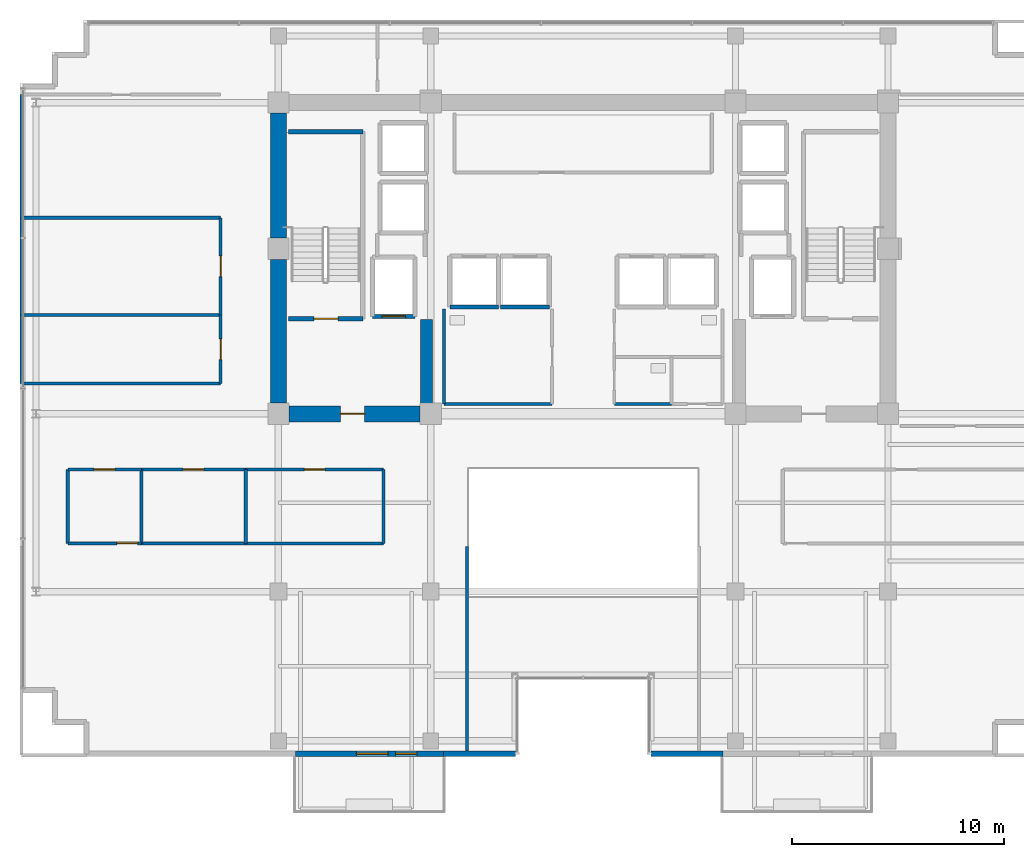
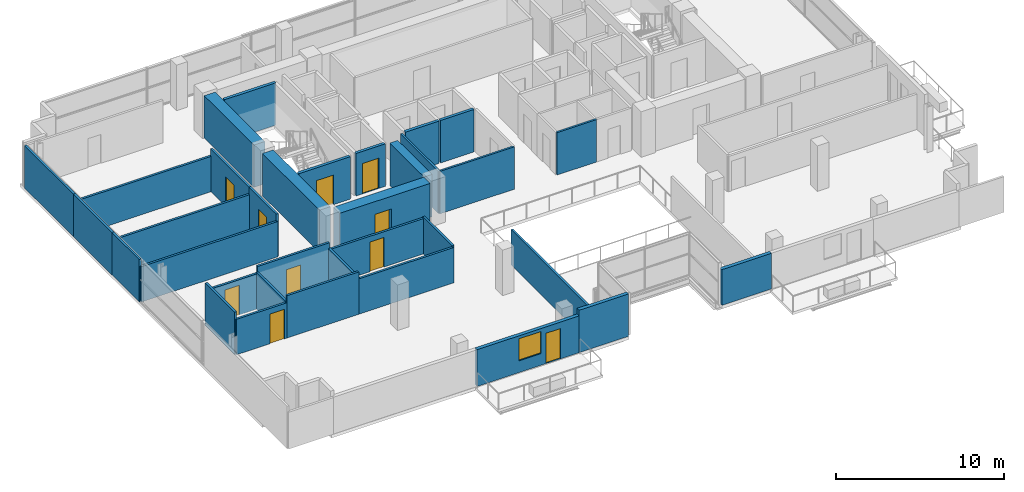
# One storey, part 18 of 25: 34 walls, 10 doors, 1 window, 11 openings.
"""IFC4 building model written with IfcOpenShell, lengths in metres."""

from ifc_helpers import new_model, si_unit, direction, frame, frame_2d, origin, place, context, subcontext, project, spatial, rectangle, extrude, source, transform, mapped, material, layer, layer_set, type_object, element, fill, save


model = new_model("IFC4")

# Units and contexts
model_context = context("Model", 3, precision=1e-05, world=origin(), true_north=direction((0.0, 1.0)))
body_context = subcontext(model_context, "Body", "Model", "MODEL_VIEW")
ifc_project = project(units=[si_unit("LENGTHUNIT", "METRE"), si_unit("AREAUNIT", "SQUARE_METRE"), si_unit("VOLUMEUNIT", "CUBIC_METRE"), si_unit("PLANEANGLEUNIT", "RADIAN"), si_unit("MASSUNIT", "GRAM", prefix="KILO")], contexts=[model_context])

# Site, building, storey
site_placement = place(None, origin())
site = spatial("IfcSite", under=ifc_project, at=site_placement, CompositionType="ELEMENT")
building_placement = place(site_placement, origin())
building = spatial("IfcBuilding", under=site, at=building_placement, Name="Zarnakvel Exchange Tower", CompositionType="ELEMENT")
storey_placement = place(building_placement, frame((0.0, 0.0, 169.300048828125)))
storey = spatial("IfcBuildingStorey", under=building, at=storey_placement, Name="L47", CompositionType="ELEMENT", Elevation=169.300048828125)

# Walls
ifc_material_1 = material(Name="Concrete C60/75", Category="concrete")
ifc_layer_1 = layer(ifc_material_1, 0.75)
ifc_layer_set_1 = layer_set([ifc_layer_1], Name="Concrete C60/75")
wall_type_1 = type_object("IfcWallType", Name="CW-C3", PredefinedType="SHEAR", material=ifc_layer_set_1)
wall_1_placement = place(storey_placement, frame((-14.39990234375, -0.699951171875, 0.0), z_axis=(0.0, 0.0, 1.0), x_axis=(0.0, 1.0, 0.0)))
element("IfcWall", 1, at=wall_1_placement, inside=storey, type_object=wall_type_1, Name="L47 Rear Core Shear Wall W1 (CW-C3)", PredefinedType="SHEAR", context=body_context, shape_type="SweptSolid", body=[
    extrude(rectangle(XDim=6.800048828125, YDim=0.75, at=frame_2d((3.39990234375, 0.0))), origin(), (0.0, 0.0, 1.0), 3.074951171875),
])
wall_2_placement = place(storey_placement, frame((-14.39990234375, 7.10009765625, 0.0), z_axis=(0.0, 0.0, 1.0), x_axis=(0.0, 1.0, 0.0)))
element("IfcWall", 2, at=wall_2_placement, inside=storey, type_object=wall_type_1, Name="L47 Rear Core Shear Wall W2 (CW-C3)", PredefinedType="SHEAR", context=body_context, shape_type="SweptSolid", body=[
    extrude(rectangle(XDim=5.89990234375, YDim=0.75, at=frame_2d((2.949951171875, 0.0))), origin(), (0.0, 0.0, 1.0), 3.074951171875),
])

# Wall, opening, door
wall_3_placement = place(storey_placement, frame((-7.699951171875, -1.199951171875, 0.0), z_axis=(0.0, 0.0, 1.0), x_axis=(-1.0, 0.0, 0.0)))
wall_3 = element("IfcWall", 3, at=wall_3_placement, inside=storey, type_object=wall_type_1, Name="L47 Rear Core Shear Wall SW (CW-C3)", PredefinedType="SHEAR", context=body_context, shape_type="SweptSolid", body=[
    extrude(rectangle(XDim=6.199951171875, YDim=0.75, at=frame_2d((3.10009765625, 0.0))), origin(), (0.0, 0.0, 1.0), 3.074951171875),
])
opening_1_placement = place(wall_3_placement, frame((2.625, 0.0, 0.0)))
opening_1 = element("IfcOpeningElement", 4, at=opening_1_placement, cuts=wall_3, Name="Opening D-L47-03", PredefinedType="OPENING", context=body_context, shape_type="SweptSolid", body=[
    extrude(rectangle(XDim=1.14990234375, YDim=2.14990234375, at=frame_2d((0.574951171875, 1.074951171875))), frame((0.0, 0.385009765625, 0.0), z_axis=(0.0, -1.0, 0.0), x_axis=(1.0, 0.0, 0.0)), (0.0, 0.0, 1.0), 0.77001953125),
])
ifc_material_2 = material(Name="Painted Galvanised Steel S355", Category="steel")
door_type_1 = type_object("IfcDoorType", Name="DT-04", OperationType="NOTDEFINED", PredefinedType="DOOR", material=ifc_material_2)
shared_shape_1 = source(origin(), body_context, "Body", "SweptSolid", [
    extrude(rectangle(XDim=1.14990234375, YDim=2.14990234375, at=frame_2d((0.574951171875, 1.074951171875))), frame((0.0, 0.02490234375, 0.0), z_axis=(0.0, -1.0, 0.0), x_axis=(1.0, 0.0, 0.0)), (0.0, 0.0, 1.0), 0.050048828125),
])
door_1_placement = place(opening_1_placement, origin())
door_1 = element("IfcDoor", 5, at=door_1_placement, inside=storey, type_object=door_type_1, Name="L47 Firefighting Lobby West Door D-L47-03", OperationType="SINGLE_SWING_RIGHT", OverallHeight=2.14990234375, OverallWidth=1.14990234375, PredefinedType="DOOR", context=body_context, shape_type="MappedRepresentation", body=[
    mapped(shared_shape_1, transform((0.0, 0.0, 0.0), x_axis=(1.0, 0.0, 0.0), y_axis=(0.0, 1.0, 0.0), z_axis=(0.0, 0.0, 1.0), scale=1.0)),
])
fill(opening_1, door_1)

# Wall
ifc_layer_2 = layer(ifc_material_1, 0.550048828125)
ifc_layer_set_2 = layer_set([ifc_layer_2], Name="Concrete C60/75")
wall_type_2 = type_object("IfcWallType", Name="CW-C4", PredefinedType="SHEAR", material=ifc_layer_set_2)
wall_4_placement = place(storey_placement, frame((-7.39990234375, -0.824951171875, 0.0), z_axis=(0.0, 0.0, 1.0), x_axis=(0.0, 1.0, 0.0)))
element("IfcWall", 6, at=wall_4_placement, inside=storey, type_object=wall_type_2, Name="L47 Rear Core Shear Wall IW (CW-C4)", PredefinedType="SHEAR", context=body_context, shape_type="SweptSolid", body=[
    extrude(rectangle(XDim=4.074951171875, YDim=0.550048828125, at=frame_2d((2.03759765625, 0.0))), origin(), (0.0, 0.0, 1.0), 3.074951171875),
])

# Wall, openings, door, window
ifc_material_3 = material(Name="Precast concrete C40/50", Category="concrete")
ifc_layer_3 = layer(ifc_material_3, 0.239990234375)
ifc_layer_set_3 = layer_set([ifc_layer_3], Name="Precast concrete C40/50")
wall_type_3 = type_object("IfcWallType", Name="EW-02", PredefinedType="SOLIDWALL", material=ifc_layer_set_3)
wall_5_placement = place(storey_placement, frame((-6.60009765625, -17.260009765625, 0.0), z_axis=(0.0, 0.0, 1.0), x_axis=(-1.0, 0.0, 0.0)))
wall_5 = element("IfcWall", 7, at=wall_5_placement, inside=storey, type_object=wall_type_3, Name="L47 Exterior Precast Spandrel Wall EW-BAL-L47-SW (EW-02)", PredefinedType="SOLIDWALL", context=body_context, shape_type="SweptSolid", body=[
    extrude(rectangle(XDim=7.0, YDim=0.239990234375, at=frame_2d((3.5, 0.0))), origin(), (0.0, 0.0, 1.0), 2.6650390625),
])
opening_2_placement = place(wall_5_placement, frame((1.260009765625, 0.0, 0.0)))
opening_2 = element("IfcOpeningElement", 8, at=opening_2_placement, cuts=wall_5, Name="Opening BD-L47-01", PredefinedType="OPENING", context=body_context, shape_type="SweptSolid", body=[
    extrude(rectangle(XDim=1.0, YDim=2.199951171875, at=frame_2d((0.5, 1.10009765625))), frame((0.0, 0.1298828125, 0.0), z_axis=(0.0, -1.0, 0.0), x_axis=(1.0, 0.0, 0.0)), (0.0, 0.0, 1.0), 0.260009765625),
])
opening_3_placement = place(wall_5_placement, frame((2.610107421875, 0.0, 0.85009765625)))
opening_3 = element("IfcOpeningElement", 9, at=opening_3_placement, cuts=wall_5, Name="Opening WN-03", PredefinedType="OPENING", context=body_context, shape_type="SweptSolid", body=[
    extrude(rectangle(XDim=1.5, YDim=1.60009765625, at=frame_2d((0.75, 0.800048828125))), frame((0.0, 0.1298828125, 0.0), z_axis=(0.0, -1.0, 0.0), x_axis=(1.0, 0.0, 0.0)), (0.0, 0.0, 1.0), 0.260009765625),
])
ifc_material_4 = material(Name="Architectural Bronze Anodised Aluminium", Category="aluminium")
door_type_2 = type_object("IfcDoorType", Name="DT-09", OperationType="NOTDEFINED", PredefinedType="DOOR", material=ifc_material_4)
shared_shape_2 = source(origin(), body_context, "Body", "SweptSolid", [
    extrude(rectangle(XDim=1.0, YDim=2.199951171875, at=frame_2d((0.5, 1.10009765625))), frame((0.0, 0.02490234375, 0.0), z_axis=(0.0, -1.0, 0.0), x_axis=(1.0, 0.0, 0.0)), (0.0, 0.0, 1.0), 0.050048828125),
])
door_2_placement = place(opening_2_placement, origin())
door_2 = element("IfcDoor", 10, at=door_2_placement, inside=storey, type_object=door_type_2, Name="L47 Planted Loggia Balcony Door BD-L47-01", OperationType="SINGLE_SWING_LEFT", OverallHeight=2.199951171875, OverallWidth=1.0, PredefinedType="DOOR", context=body_context, shape_type="MappedRepresentation", body=[
    mapped(shared_shape_2, transform((0.0, 0.0, 0.0), x_axis=(1.0, 0.0, 0.0), y_axis=(0.0, 1.0, 0.0), z_axis=(0.0, 0.0, 1.0), scale=1.0)),
])
fill(opening_2, door_2)
ifc_material_5 = material(Name="Double Low-E Laminated Vision Glass", Category="glass")
window_type = type_object("IfcWindowType", Name="WN-03", PartitioningType="SINGLE_PANEL", PredefinedType="WINDOW", material=ifc_material_5)
shared_shape_3 = source(origin(), body_context, "Body", "SweptSolid", [
    extrude(rectangle(XDim=1.5, YDim=1.60009765625, at=frame_2d((0.75, 0.800048828125))), frame((0.0, 0.030029296875, 0.0), z_axis=(0.0, -1.0, 0.0), x_axis=(1.0, 0.0, 0.0)), (0.0, 0.0, 1.0), 0.06005859375),
])
window_placement = place(opening_3_placement, origin())
window = element("IfcWindow", 11, at=window_placement, inside=storey, type_object=window_type, Name="L47 Loggia Daylight Window (WN-03)", OverallHeight=1.60009765625, OverallWidth=1.5, PartitioningType="SINGLE_PANEL", PredefinedType="WINDOW", context=body_context, shape_type="MappedRepresentation", body=[
    mapped(shared_shape_3, transform((0.0, 0.0, 0.0), x_axis=(1.0, 0.0, 0.0), y_axis=(0.0, 1.0, 0.0), z_axis=(0.0, 0.0, 1.0), scale=1.0)),
])
fill(opening_3, window)

# Walls
wall_6_placement = place(storey_placement, frame((3.199951171875, -17.260009765625, 0.0), z_axis=(0.0, 0.0, 1.0), x_axis=(1.0, 0.0, 0.0)))
element("IfcWall", 12, at=wall_6_placement, inside=storey, type_object=wall_type_3, Name="L47 Exterior Precast Spandrel Wall EWC-L47-16 (EW-02)", PredefinedType="SOLIDWALL", context=body_context, shape_type="SweptSolid", body=[
    extrude(rectangle(XDim=3.400146484375, YDim=0.239990234375, at=frame_2d((1.7001953125, 0.0))), origin(), (0.0, 0.0, 1.0), 2.58984375),
])
wall_7_placement = place(storey_placement, frame((-6.60009765625, -17.260009765625, 0.0), z_axis=(0.0, 0.0, 1.0), x_axis=(1.0, 0.0, 0.0)))
element("IfcWall", 13, at=wall_7_placement, inside=storey, type_object=wall_type_3, Name="L47 Exterior Precast Spandrel Wall EWC-L47-21 (EW-02)", PredefinedType="SOLIDWALL", context=body_context, shape_type="SweptSolid", body=[
    extrude(rectangle(XDim=3.400146484375, YDim=0.239990234375, at=frame_2d((1.7001953125, 0.0))), origin(), (0.0, 0.0, 1.0), 3.074951171875),
])

# Wall, opening, door
ifc_material_6 = material(Name="Fire-Rated Gypsum Stud Partition", Category="gypsum")
ifc_layer_4 = layer(ifc_material_6, 0.14990234375)
ifc_layer_set_4 = layer_set([ifc_layer_4], Name="Fire-Rated Gypsum Stud Partition")
wall_type_4 = type_object("IfcWallType", Name="PT-01", PredefinedType="PARTITIONING", material=ifc_layer_set_4)
wall_8_placement = place(storey_placement, frame((-20.86767578125, -7.320068359375, 0.0), z_axis=(0.0, 0.0, 1.0), x_axis=(-1.0, 0.0, 0.0)))
wall_8 = element("IfcWall", 14, at=wall_8_placement, inside=storey, type_object=wall_type_4, Name="L47 Partition Wall PWALL-L47-025 (PT-01)", PredefinedType="PARTITIONING", context=body_context, shape_type="SweptSolid", body=[
    extrude(rectangle(XDim=3.48095703125, YDim=0.14990234375, at=frame_2d((1.740478515625, 0.0))), origin(), (0.0, 0.0, 1.0), 2.56494140625),
])
opening_4_placement = place(wall_8_placement, frame((0.179931640625, 0.0, 0.0)))
opening_4 = element("IfcOpeningElement", 15, at=opening_4_placement, cuts=wall_8, Name="Opening D-L47-13", PredefinedType="OPENING", context=body_context, shape_type="SweptSolid", body=[
    extrude(rectangle(XDim=0.97998046875, YDim=2.14990234375, at=frame_2d((0.489990234375, 1.074951171875))), frame((0.0, 0.0849609375, 0.0), z_axis=(0.0, -1.0, 0.0), x_axis=(1.0, 0.0, 0.0)), (0.0, 0.0, 1.0), 0.169921875),
])
ifc_material_7 = material(Name="Timber Acoustic Veneer", Category="wood")
door_type_3 = type_object("IfcDoorType", Name="DT-05", OperationType="NOTDEFINED", PredefinedType="DOOR", material=ifc_material_7)
shared_shape_4 = source(origin(), body_context, "Body", "SweptSolid", [
    extrude(rectangle(XDim=0.97998046875, YDim=2.14990234375, at=frame_2d((0.489990234375, 1.074951171875))), frame((0.0, 0.02490234375, 0.0), z_axis=(0.0, -1.0, 0.0), x_axis=(1.0, 0.0, 0.0)), (0.0, 0.0, 1.0), 0.050048828125),
])
door_3_placement = place(opening_4_placement, origin())
door_3 = element("IfcDoor", 16, at=door_3_placement, inside=storey, type_object=door_type_3, Name="L47 Derivatives Trading Hall Door D-L47-13", OperationType="SINGLE_SWING_RIGHT", OverallHeight=2.14990234375, OverallWidth=0.97998046875, PredefinedType="DOOR", context=body_context, shape_type="MappedRepresentation", body=[
    mapped(shared_shape_4, transform((0.0, 0.0, 0.0), x_axis=(1.0, 0.0, 0.0), y_axis=(0.0, 1.0, 0.0), z_axis=(0.0, 0.0, 1.0), scale=1.0)),
])
fill(opening_4, door_3)

wall_9_placement = place(storey_placement, frame((-24.3486328125, -3.830078125, 0.0), z_axis=(0.0, 0.0, 1.0), x_axis=(1.0, 0.0, 0.0)))
wall_9 = element("IfcWall", 17, at=wall_9_placement, inside=storey, type_object=wall_type_4, Name="L47 Partition Wall PWALL-L47-026 (PT-01)", PredefinedType="PARTITIONING", context=body_context, shape_type="SweptSolid", body=[
    extrude(rectangle(XDim=3.48095703125, YDim=0.14990234375, at=frame_2d((1.740478515625, 0.0))), origin(), (0.0, 0.0, 1.0), 2.56494140625),
])
opening_5_placement = place(wall_9_placement, frame((1.25048828125, 0.0, 0.0)))
opening_5 = element("IfcOpeningElement", 18, at=opening_5_placement, cuts=wall_9, Name="Opening D-L47-10", PredefinedType="OPENING", context=body_context, shape_type="SweptSolid", body=[
    extrude(rectangle(XDim=0.97998046875, YDim=2.14990234375, at=frame_2d((0.489990234375, 1.074951171875))), frame((0.0, 0.0849609375, 0.0), z_axis=(0.0, -1.0, 0.0), x_axis=(1.0, 0.0, 0.0)), (0.0, 0.0, 1.0), 0.169921875),
])
door_4_placement = place(opening_5_placement, origin())
door_4 = element("IfcDoor", 19, at=door_4_placement, inside=storey, type_object=door_type_3, Name="L47 Quant Research Office Door D-L47-10", OperationType="SINGLE_SWING_LEFT", OverallHeight=2.14990234375, OverallWidth=0.97998046875, PredefinedType="DOOR", context=body_context, shape_type="MappedRepresentation", body=[
    mapped(shared_shape_4, transform((0.0, 0.0, 0.0), x_axis=(1.0, 0.0, 0.0), y_axis=(0.0, 1.0, 0.0), z_axis=(0.0, 0.0, 1.0), scale=1.0)),
])
fill(opening_5, door_4)

# Walls
wall_10_placement = place(storey_placement, frame((-24.3486328125, -7.320068359375, 0.0), z_axis=(0.0, 0.0, 1.0), x_axis=(0.0, 1.0, 0.0)))
element("IfcWall", 20, at=wall_10_placement, inside=storey, type_object=wall_type_4, Name="L47 Partition Wall PWALL-L47-027 (PT-01)", PredefinedType="PARTITIONING", context=body_context, shape_type="SweptSolid", body=[
    extrude(rectangle(XDim=3.489990234375, YDim=0.14990234375, at=frame_2d((1.7451171875, 0.0))), origin(), (0.0, 0.0, 1.0), 3.074951171875),
])
wall_11_placement = place(storey_placement, frame((-20.86767578125, -3.830078125, 0.0), z_axis=(0.0, 0.0, 1.0), x_axis=(0.0, -1.0, 0.0)))
element("IfcWall", 21, at=wall_11_placement, inside=storey, type_object=wall_type_4, Name="L47 Partition Wall PWALL-L47-028 (PT-01)", PredefinedType="PARTITIONING", context=body_context, shape_type="SweptSolid", body=[
    extrude(rectangle(XDim=3.489990234375, YDim=0.14990234375, at=frame_2d((1.7451171875, 0.0))), origin(), (0.0, 0.0, 1.0), 2.6650390625),
])
wall_12_placement = place(storey_placement, frame((-15.943115234375, -7.320068359375, 0.0), z_axis=(0.0, 0.0, 1.0), x_axis=(-1.0, 0.0, 0.0)))
element("IfcWall", 22, at=wall_12_placement, inside=storey, type_object=wall_type_4, Name="L47 Partition Wall PWALL-L47-029 (PT-01)", PredefinedType="PARTITIONING", context=body_context, shape_type="SweptSolid", body=[
    extrude(rectangle(XDim=4.924560546875, YDim=0.14990234375, at=frame_2d((2.46240234375, 0.0))), origin(), (0.0, 0.0, 1.0), 3.074951171875),
])

# Wall, opening, door
wall_13_placement = place(storey_placement, frame((-20.86767578125, -3.830078125, 0.0), z_axis=(0.0, 0.0, 1.0), x_axis=(1.0, 0.0, 0.0)))
wall_13 = element("IfcWall", 23, at=wall_13_placement, inside=storey, type_object=wall_type_4, Name="L47 Partition Wall PWALL-L47-030 (PT-01)", PredefinedType="PARTITIONING", context=body_context, shape_type="SweptSolid", body=[
    extrude(rectangle(XDim=4.924560546875, YDim=0.14990234375, at=frame_2d((2.46240234375, 0.0))), origin(), (0.0, 0.0, 1.0), 3.074951171875),
])
opening_6_placement = place(wall_13_placement, frame((1.97265625, 0.0, 0.0)))
opening_6 = element("IfcOpeningElement", 24, at=opening_6_placement, cuts=wall_13, Name="Opening D-L47-11", PredefinedType="OPENING", context=body_context, shape_type="SweptSolid", body=[
    extrude(rectangle(XDim=0.97998046875, YDim=2.14990234375, at=frame_2d((0.489990234375, 1.074951171875))), frame((0.0, 0.0849609375, 0.0), z_axis=(0.0, -1.0, 0.0), x_axis=(1.0, 0.0, 0.0)), (0.0, 0.0, 1.0), 0.169921875),
])
door_5_placement = place(opening_6_placement, origin())
door_5 = element("IfcDoor", 25, at=door_5_placement, inside=storey, type_object=door_type_3, Name="L47 Conference Room Door D-L47-11", OperationType="SINGLE_SWING_RIGHT", OverallHeight=2.14990234375, OverallWidth=0.97998046875, PredefinedType="DOOR", context=body_context, shape_type="MappedRepresentation", body=[
    mapped(shared_shape_4, transform((0.0, 0.0, 0.0), x_axis=(1.0, 0.0, 0.0), y_axis=(0.0, 1.0, 0.0), z_axis=(0.0, 0.0, 1.0), scale=1.0)),
])
fill(opening_6, door_5)

# Walls
wall_14_placement = place(storey_placement, frame((-15.943115234375, -3.830078125, 0.0), z_axis=(0.0, 0.0, 1.0), x_axis=(0.0, -1.0, 0.0)))
element("IfcWall", 26, at=wall_14_placement, inside=storey, type_object=wall_type_4, Name="L47 Partition Wall PWALL-L47-031 (PT-01)", PredefinedType="PARTITIONING", context=body_context, shape_type="SweptSolid", body=[
    extrude(rectangle(XDim=3.489990234375, YDim=0.14990234375, at=frame_2d((1.7451171875, 0.0))), origin(), (0.0, 0.0, 1.0), 2.6650390625),
])
wall_15_placement = place(storey_placement, frame((-9.429931640625, -7.320068359375, 0.0), z_axis=(0.0, 0.0, 1.0), x_axis=(-1.0, 0.0, 0.0)))
element("IfcWall", 27, at=wall_15_placement, inside=storey, type_object=wall_type_4, Name="L47 Partition Wall PWALL-L47-032 (PT-01)", PredefinedType="PARTITIONING", context=body_context, shape_type="SweptSolid", body=[
    extrude(rectangle(XDim=6.51318359375, YDim=0.14990234375, at=frame_2d((3.256591796875, 0.0))), origin(), (0.0, 0.0, 1.0), 2.56494140625),
])

# Wall, opening, door
wall_16_placement = place(storey_placement, frame((-15.943115234375, -3.830078125, 0.0), z_axis=(0.0, 0.0, 1.0), x_axis=(1.0, 0.0, 0.0)))
wall_16 = element("IfcWall", 28, at=wall_16_placement, inside=storey, type_object=wall_type_4, Name="L47 Partition Wall PWALL-L47-033 (PT-01)", PredefinedType="PARTITIONING", context=body_context, shape_type="SweptSolid", body=[
    extrude(rectangle(XDim=6.51318359375, YDim=0.14990234375, at=frame_2d((3.256591796875, 0.0))), origin(), (0.0, 0.0, 1.0), 2.56494140625),
])
opening_7_placement = place(wall_16_placement, frame((2.76708984375, 0.0, 0.0)))
opening_7 = element("IfcOpeningElement", 29, at=opening_7_placement, cuts=wall_16, Name="Opening D-L47-12", PredefinedType="OPENING", context=body_context, shape_type="SweptSolid", body=[
    extrude(rectangle(XDim=0.97998046875, YDim=2.14990234375, at=frame_2d((0.489990234375, 1.074951171875))), frame((0.0, 0.0849609375, 0.0), z_axis=(0.0, -1.0, 0.0), x_axis=(1.0, 0.0, 0.0)), (0.0, 0.0, 1.0), 0.169921875),
])
door_6_placement = place(opening_7_placement, origin())
door_6 = element("IfcDoor", 30, at=door_6_placement, inside=storey, type_object=door_type_3, Name="L47 Executive Suite Door D-L47-12", OperationType="SINGLE_SWING_LEFT", OverallHeight=2.14990234375, OverallWidth=0.97998046875, PredefinedType="DOOR", context=body_context, shape_type="MappedRepresentation", body=[
    mapped(shared_shape_4, transform((0.0, 0.0, 0.0), x_axis=(1.0, 0.0, 0.0), y_axis=(0.0, 1.0, 0.0), z_axis=(0.0, 0.0, 1.0), scale=1.0)),
])
fill(opening_7, door_6)

# Walls
wall_17_placement = place(storey_placement, frame((-9.429931640625, -3.830078125, 0.0), z_axis=(0.0, 0.0, 1.0), x_axis=(0.0, -1.0, 0.0)))
element("IfcWall", 31, at=wall_17_placement, inside=storey, type_object=wall_type_4, Name="L47 Partition Wall PWALL-L47-034 (PT-01)", PredefinedType="PARTITIONING", context=body_context, shape_type="SweptSolid", body=[
    extrude(rectangle(XDim=3.489990234375, YDim=0.14990234375, at=frame_2d((1.7451171875, 0.0))), origin(), (0.0, 0.0, 1.0), 2.6650390625),
])
wall_18_placement = place(storey_placement, frame((-5.47998046875, -7.47998046875, 0.0), z_axis=(0.0, 0.0, 1.0), x_axis=(0.0, -1.0, 0.0)))
element("IfcWall", 32, at=wall_18_placement, inside=storey, type_object=wall_type_4, Name="L47 Partition Wall PWALL-L47-037 (PT-01)", PredefinedType="PARTITIONING", context=body_context, shape_type="SweptSolid", body=[
    extrude(rectangle(XDim=9.85009765625, YDim=0.14990234375, at=frame_2d((4.925048828125, 0.0))), origin(), (0.0, 0.0, 1.0), 2.56494140625),
])
for number, where, z_axis, x_axis, name in (
    (33, (-17.1298828125, 0.235595703125, 0.0), (0.0, 0.0, 1.0), (-1.0, 0.0, 0.0), "L47 Partition Wall PWALL-L47-044 (PT-01)"),
    (34, (-26.530029296875, 3.47119140625, 0.0), (0.0, 0.0, 1.0), (1.0, 0.0, 0.0), "L47 Partition Wall PWALL-L47-045 (PT-01)"),
):
    element("IfcWall", number, at=place(storey_placement, frame(where, z_axis=z_axis, x_axis=x_axis)), inside=storey, type_object=wall_type_4, Name=name, PredefinedType="PARTITIONING", context=body_context, shape_type="SweptSolid", body=[
        extrude(rectangle(XDim=9.400146484375, YDim=0.14990234375, at=frame_2d((4.7001953125, 0.0))), origin(), (0.0, 0.0, 1.0), 2.56494140625),
    ])
wall_19_placement = place(storey_placement, frame((-26.530029296875, 0.235595703125, 0.0), z_axis=(0.0, 0.0, 1.0), x_axis=(0.0, 1.0, 0.0)))
element("IfcWall", 35, at=wall_19_placement, inside=storey, type_object=wall_type_4, Name="L47 Partition Wall PWALL-L47-046 (PT-01)", PredefinedType="PARTITIONING", context=body_context, shape_type="SweptSolid", body=[
    extrude(rectangle(XDim=3.235595703125, YDim=0.14990234375, at=frame_2d((1.61767578125, 0.0))), origin(), (0.0, 0.0, 1.0), 3.074951171875),
])

# Wall, opening, door
wall_20_placement = place(storey_placement, frame((-17.1298828125, 3.47119140625, 0.0), z_axis=(0.0, 0.0, 1.0), x_axis=(0.0, -1.0, 0.0)))
wall_20 = element("IfcWall", 36, at=wall_20_placement, inside=storey, type_object=wall_type_4, Name="L47 Partition Wall PWALL-L47-047 (PT-01)", PredefinedType="PARTITIONING", context=body_context, shape_type="SweptSolid", body=[
    extrude(rectangle(XDim=3.235595703125, YDim=0.14990234375, at=frame_2d((1.61767578125, 0.0))), origin(), (0.0, 0.0, 1.0), 3.074951171875),
])
opening_8_placement = place(wall_20_placement, frame((1.12841796875, 0.0, 0.0)))
opening_8 = element("IfcOpeningElement", 37, at=opening_8_placement, cuts=wall_20, Name="Opening D-L47-16", PredefinedType="OPENING", context=body_context, shape_type="SweptSolid", body=[
    extrude(rectangle(XDim=0.97998046875, YDim=2.14990234375, at=frame_2d((0.489990234375, 1.074951171875))), frame((0.0, 0.0849609375, 0.0), z_axis=(0.0, -1.0, 0.0), x_axis=(1.0, 0.0, 0.0)), (0.0, 0.0, 1.0), 0.169921875),
])
door_7_placement = place(opening_8_placement, origin())
door_7 = element("IfcDoor", 38, at=door_7_placement, inside=storey, type_object=door_type_3, Name="L47 Staff Pantry Door D-L47-16", OperationType="SINGLE_SWING_LEFT", OverallHeight=2.14990234375, OverallWidth=0.97998046875, PredefinedType="DOOR", context=body_context, shape_type="MappedRepresentation", body=[
    mapped(shared_shape_4, transform((0.0, 0.0, 0.0), x_axis=(1.0, 0.0, 0.0), y_axis=(0.0, 1.0, 0.0), z_axis=(0.0, 0.0, 1.0), scale=1.0)),
])
fill(opening_8, door_7)

# Walls
wall_21_placement = place(storey_placement, frame((-26.530029296875, 8.060546875, 0.0), z_axis=(0.0, 0.0, 1.0), x_axis=(1.0, 0.0, 0.0)))
element("IfcWall", 39, at=wall_21_placement, inside=storey, type_object=wall_type_4, Name="L47 Partition Wall PWALL-L47-048 (PT-01)", PredefinedType="PARTITIONING", context=body_context, shape_type="SweptSolid", body=[
    extrude(rectangle(XDim=9.400146484375, YDim=0.14990234375, at=frame_2d((4.7001953125, 0.0))), origin(), (0.0, 0.0, 1.0), 2.56494140625),
])
wall_22_placement = place(storey_placement, frame((-26.530029296875, 3.47119140625, 0.0), z_axis=(0.0, 0.0, 1.0), x_axis=(0.0, 1.0, 0.0)))
element("IfcWall", 40, at=wall_22_placement, inside=storey, type_object=wall_type_4, Name="L47 Partition Wall PWALL-L47-049 (PT-01)", PredefinedType="PARTITIONING", context=body_context, shape_type="SweptSolid", body=[
    extrude(rectangle(XDim=4.58935546875, YDim=0.14990234375, at=frame_2d((2.294677734375, 0.0))), origin(), (0.0, 0.0, 1.0), 3.074951171875),
])

# Wall, opening, door
wall_23_placement = place(storey_placement, frame((-17.1298828125, 8.060546875, 0.0), z_axis=(0.0, 0.0, 1.0), x_axis=(0.0, -1.0, 0.0)))
wall_23 = element("IfcWall", 41, at=wall_23_placement, inside=storey, type_object=wall_type_4, Name="L47 Partition Wall PWALL-L47-050 (PT-01)", PredefinedType="PARTITIONING", context=body_context, shape_type="SweptSolid", body=[
    extrude(rectangle(XDim=4.58935546875, YDim=0.14990234375, at=frame_2d((2.294677734375, 0.0))), origin(), (0.0, 0.0, 1.0), 3.074951171875),
])
opening_9_placement = place(wall_23_placement, frame((1.804443359375, 0.0, 0.0)))
opening_9 = element("IfcOpeningElement", 42, at=opening_9_placement, cuts=wall_23, Name="Opening D-L47-17", PredefinedType="OPENING", context=body_context, shape_type="SweptSolid", body=[
    extrude(rectangle(XDim=0.97998046875, YDim=2.14990234375, at=frame_2d((0.489990234375, 1.074951171875))), frame((0.0, 0.0849609375, 0.0), z_axis=(0.0, -1.0, 0.0), x_axis=(1.0, 0.0, 0.0)), (0.0, 0.0, 1.0), 0.169921875),
])
door_8_placement = place(opening_9_placement, origin())
door_8 = element("IfcDoor", 43, at=door_8_placement, inside=storey, type_object=door_type_3, Name="L47 Compliance Office Door D-L47-17", OperationType="SINGLE_SWING_RIGHT", OverallHeight=2.14990234375, OverallWidth=0.97998046875, PredefinedType="DOOR", context=body_context, shape_type="MappedRepresentation", body=[
    mapped(shared_shape_4, transform((0.0, 0.0, 0.0), x_axis=(1.0, 0.0, 0.0), y_axis=(0.0, 1.0, 0.0), z_axis=(0.0, 0.0, 1.0), scale=1.0)),
])
fill(opening_9, door_8)

# Walls
wall_24_placement = place(storey_placement, frame((-26.530029296875, 8.060546875, 0.0), z_axis=(0.0, 0.0, 1.0), x_axis=(0.0, 1.0, 0.0)))
element("IfcWall", 44, at=wall_24_placement, inside=storey, type_object=wall_type_4, Name="L47 Partition Wall PWALL-L47-052 (PT-01)", PredefinedType="PARTITIONING", context=body_context, shape_type="SweptSolid", body=[
    extrude(rectangle(XDim=5.8193359375, YDim=0.14990234375, at=frame_2d((2.90966796875, 0.0))), origin(), (0.0, 0.0, 1.0), 3.074951171875),
])
ifc_material_8 = material(Name="Moisture-Resistant Tile-Faced Partition", Category="gypsum")
ifc_layer_5 = layer(ifc_material_8, 0.135009765625)
ifc_layer_set_5 = layer_set([ifc_layer_5], Name="Moisture-Resistant Tile-Faced Partition")
wall_type_5 = type_object("IfcWallType", Name="PT-03", PredefinedType="PARTITIONING", material=ifc_layer_set_5)
wall_25_placement = place(storey_placement, frame((-1.469970703125, -0.72998046875, 0.0), z_axis=(0.0, 0.0, 1.0), x_axis=(-1.0, 0.0, 0.0)))
element("IfcWall", 45, at=wall_25_placement, inside=storey, type_object=wall_type_5, Name="L47 Partition Wall PWALL-L47-014 (PT-03)", PredefinedType="PARTITIONING", context=body_context, shape_type="SweptSolid", body=[
    extrude(rectangle(XDim=5.110107421875, YDim=0.135009765625, at=frame_2d((2.55517578125, 0.0))), origin(), (0.0, 0.0, 1.0), 3.074951171875),
])
wall_26_placement = place(storey_placement, frame((-6.580078125, -0.72998046875, 0.0), z_axis=(0.0, 0.0, 1.0), x_axis=(0.0, 1.0, 0.0)))
element("IfcWall", 46, at=wall_26_placement, inside=storey, type_object=wall_type_5, Name="L47 Partition Wall PWALL-L47-015 (PT-03)", PredefinedType="PARTITIONING", context=body_context, shape_type="SweptSolid", body=[
    extrude(rectangle(XDim=4.489990234375, YDim=0.135009765625, at=frame_2d((2.2451171875, 0.0))), origin(), (0.0, 0.0, 1.0), 3.074951171875),
])
wall_27_placement = place(storey_placement, frame((4.179931640625, -0.72998046875, 0.0), z_axis=(0.0, 0.0, 1.0), x_axis=(-1.0, 0.0, 0.0)))
element("IfcWall", 47, at=wall_27_placement, inside=storey, type_object=wall_type_5, Name="L47 Partition Wall PWALL-L47-020 (PT-03)", PredefinedType="PARTITIONING", context=body_context, shape_type="SweptSolid", body=[
    extrude(rectangle(XDim=2.7099609375, YDim=0.135009765625, at=frame_2d((1.35498046875, 0.0))), origin(), (0.0, 0.0, 1.0), 3.074951171875),
])

# Wall, opening, door
ifc_material_9 = material(Name="Concrete C40/50", Category="concrete")
ifc_layer_6 = layer(ifc_material_9, 0.199951171875)
ifc_layer_set_6 = layer_set([ifc_layer_6], Name="Concrete C40/50")
wall_type_6 = type_object("IfcWallType", Name="SW-01", PredefinedType="SOLIDWALL", material=ifc_layer_set_6)
wall_28_placement = place(storey_placement, frame((-7.949951171875, 3.39990234375, 0.0), z_axis=(0.0, 0.0, 1.0), x_axis=(-1.0, 0.0, 0.0)))
wall_28 = element("IfcWall", 48, at=wall_28_placement, inside=storey, type_object=wall_type_6, Name="L47 FL-01 Hoistway Wall South", PredefinedType="SOLIDWALL", context=body_context, shape_type="SweptSolid", body=[
    extrude(rectangle(XDim=2.0, YDim=0.199951171875, at=frame_2d((1.0, 0.0))), origin(), (0.0, 0.0, 1.0), 3.074951171875),
])
opening_10_placement = place(wall_28_placement, frame((0.449951171875, 0.0, 0.0)))
opening_10 = element("IfcOpeningElement", 49, at=opening_10_placement, cuts=wall_28, Name="Opening LD-FL-01-L47", PredefinedType="OPENING", context=body_context, shape_type="SweptSolid", body=[
    extrude(rectangle(XDim=1.10009765625, YDim=2.199951171875, at=frame_2d((0.550048828125, 1.10009765625))), frame((0.0, 0.10986328125, 0.0), z_axis=(0.0, -1.0, 0.0), x_axis=(1.0, 0.0, 0.0)), (0.0, 0.0, 1.0), 0.219970703125),
])
ifc_material_10 = material(Name="Brushed Stainless Steel", Category="steel")
door_type_4 = type_object("IfcDoorType", Name="LDT-01", OperationType="NOTDEFINED", PredefinedType="DOOR", material=ifc_material_10)
shared_shape_5 = source(origin(), body_context, "Body", "SweptSolid", [
    extrude(rectangle(XDim=1.10009765625, YDim=2.199951171875, at=frame_2d((0.550048828125, 1.10009765625))), frame((0.0, 0.02490234375, 0.0), z_axis=(0.0, -1.0, 0.0), x_axis=(1.0, 0.0, 0.0)), (0.0, 0.0, 1.0), 0.050048828125),
])
door_9_placement = place(opening_10_placement, origin())
door_9 = element("IfcDoor", 50, at=door_9_placement, inside=storey, type_object=door_type_4, Name="L47 FL-01 Lift Landing Door LD-FL-01-L47", OperationType="DOUBLE_DOOR_SLIDING", OverallHeight=2.199951171875, OverallWidth=1.10009765625, PredefinedType="DOOR", context=body_context, shape_type="MappedRepresentation", body=[
    mapped(shared_shape_5, transform((0.0, 0.0, 0.0), x_axis=(1.0, 0.0, 0.0), y_axis=(0.0, 1.0, 0.0), z_axis=(0.0, 0.0, 1.0), scale=1.0)),
])
fill(opening_10, door_9)

# Walls
wall_29_placement = place(storey_placement, frame((-4.0, 3.85009765625, 0.0), z_axis=(0.0, 0.0, 1.0), x_axis=(-1.0, 0.0, 0.0)))
element("IfcWall", 51, at=wall_29_placement, inside=storey, type_object=wall_type_6, Name="L47 PL-05 Hoistway Wall South", PredefinedType="SOLIDWALL", context=body_context, shape_type="SweptSolid", body=[
    extrude(rectangle(XDim=2.300048828125, YDim=0.199951171875, at=frame_2d((1.14990234375, 0.0))), origin(), (0.0, 0.0, 1.0), 3.074951171875),
])
wall_30_placement = place(storey_placement, frame((-1.60009765625, 3.85009765625, 0.0), z_axis=(0.0, 0.0, 1.0), x_axis=(-1.0, 0.0, 0.0)))
element("IfcWall", 52, at=wall_30_placement, inside=storey, type_object=wall_type_6, Name="L47 PL-06 Hoistway Wall South", PredefinedType="SOLIDWALL", context=body_context, shape_type="SweptSolid", body=[
    extrude(rectangle(XDim=2.2998046875, YDim=0.199951171875, at=frame_2d((1.14990234375, 0.0))), origin(), (0.0, 0.0, 1.0), 3.074951171875),
])

# Wall, opening, door
ifc_layer_7 = layer(ifc_material_9, 0.199951171875)
ifc_layer_set_7 = layer_set([ifc_layer_7], Name="Concrete C40/50")
wall_type_7 = type_object("IfcWallType", Name="SW-02", PredefinedType="SOLIDWALL", material=ifc_layer_set_7)
wall_31_placement = place(storey_placement, frame((-10.409912109375, 3.2900390625, 0.0), z_axis=(0.0, 0.0, 1.0), x_axis=(-1.0, 0.0, 0.0)))
wall_31 = element("IfcWall", 53, at=wall_31_placement, inside=storey, type_object=wall_type_7, Name="L47 Stairwell Core Wall PWALL-L47-001 (SW-02)", PredefinedType="SOLIDWALL", context=body_context, shape_type="SweptSolid", body=[
    extrude(rectangle(XDim=3.52001953125, YDim=0.199951171875, at=frame_2d((1.760009765625, 0.0))), origin(), (0.0, 0.0, 1.0), 3.074951171875),
])
opening_11_placement = place(wall_31_placement, frame((1.1650390625, 0.0, 0.0)))
opening_11 = element("IfcOpeningElement", 54, at=opening_11_placement, cuts=wall_31, Name="Opening D-L47-01", PredefinedType="OPENING", context=body_context, shape_type="SweptSolid", body=[
    extrude(rectangle(XDim=1.14990234375, YDim=2.14990234375, at=frame_2d((0.574951171875, 1.074951171875))), frame((0.0, 0.10986328125, 0.0), z_axis=(0.0, -1.0, 0.0), x_axis=(1.0, 0.0, 0.0)), (0.0, 0.0, 1.0), 0.219970703125),
])
door_10_placement = place(opening_11_placement, origin())
door_10 = element("IfcDoor", 55, at=door_10_placement, inside=storey, type_object=door_type_1, Name="L47 Stairwell ST-01 Door D-L47-01", OperationType="SINGLE_SWING_RIGHT", OverallHeight=2.14990234375, OverallWidth=1.14990234375, PredefinedType="DOOR", context=body_context, shape_type="MappedRepresentation", body=[
    mapped(shared_shape_1, transform((0.0, 0.0, 0.0), x_axis=(1.0, 0.0, 0.0), y_axis=(0.0, 1.0, 0.0), z_axis=(0.0, 0.0, 1.0), scale=1.0)),
])
fill(opening_11, door_10)

# Wall
wall_32_placement = place(storey_placement, frame((-13.929931640625, 12.1298828125, 0.0), z_axis=(0.0, 0.0, 1.0), x_axis=(1.0, 0.0, 0.0)))
element("IfcWall", 56, at=wall_32_placement, inside=storey, type_object=wall_type_7, Name="L47 Stairwell Core Wall PWALL-L47-002 (SW-02)", PredefinedType="SOLIDWALL", context=body_context, shape_type="SweptSolid", body=[
    extrude(rectangle(XDim=3.52001953125, YDim=0.199951171875, at=frame_2d((1.760009765625, 0.0))), origin(), (0.0, 0.0, 1.0), 3.074951171875),
])

save(model, "model.ifc")
